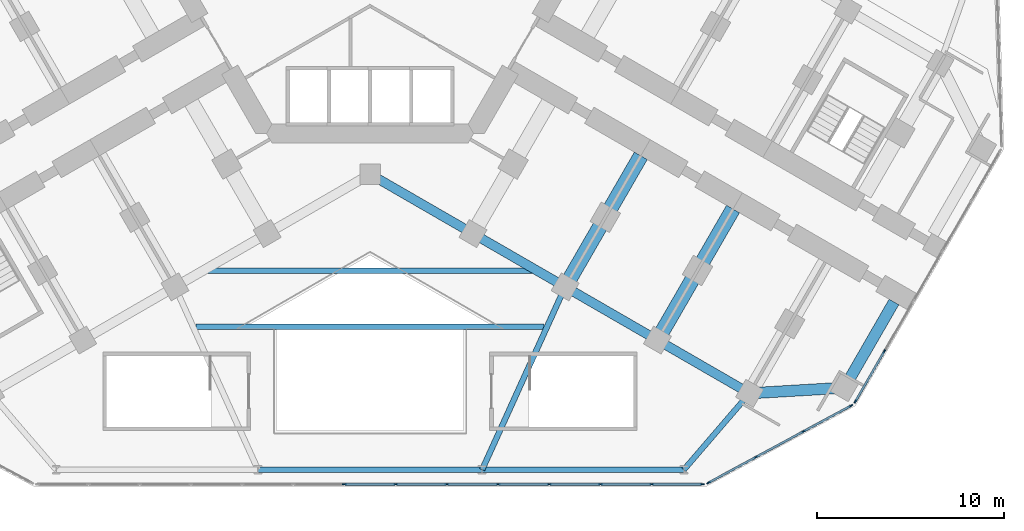
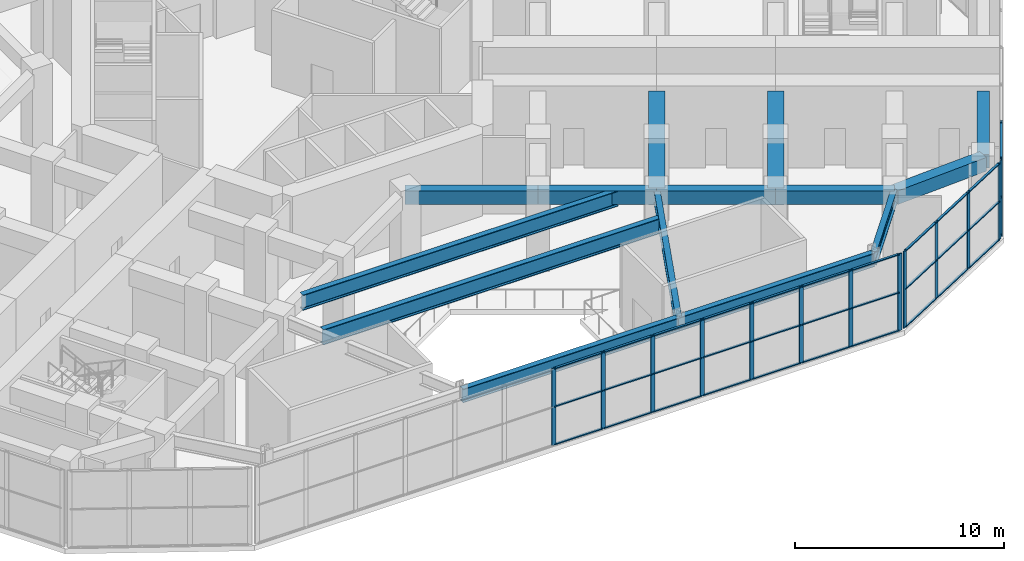
# One storey, part 5 of 22: 47 members, 14 beams, 3 elements without a shape of their own.
"""IFC4 building model written with IfcOpenShell, lengths in metres."""

from ifc_helpers import new_model, si_unit, direction, frame, origin, origin_2d, place, context, subcontext, project, spatial, rectangle, i_section, extrude, material, material_profile, profile_set, type_object, element, aggregate, save


model = new_model("IFC4")

# Units and contexts
model_context = context("Model", 3, precision=1e-05, world=origin(), true_north=direction((0.0, 1.0)))
body_context = subcontext(model_context, "Body", "Model", "MODEL_VIEW")
ifc_project = project(units=[si_unit("LENGTHUNIT", "METRE"), si_unit("AREAUNIT", "SQUARE_METRE"), si_unit("VOLUMEUNIT", "CUBIC_METRE"), si_unit("PLANEANGLEUNIT", "RADIAN"), si_unit("MASSUNIT", "GRAM", prefix="KILO")], contexts=[model_context])

# Site, building, storey
site_placement = place(None, origin())
site = spatial("IfcSite", under=ifc_project, at=site_placement, CompositionType="ELEMENT")
building_placement = place(site_placement, origin())
building = spatial("IfcBuilding", under=site, at=building_placement, Name="Kosmar Iwan School Tower", CompositionType="ELEMENT")
storey_placement = place(building_placement, frame((0.0, 0.0, 15.60009765625)))
storey = spatial("IfcBuildingStorey", under=building, at=storey_placement, Name="L03", CompositionType="ELEMENT", Elevation=15.60009765625)

# Beams
ifc_material_1 = material(Name="Steel S355", Category="steel")
ifc_material_profile_1 = material_profile(ifc_material_1, i_section(OverallWidth=0.300048828125, OverallDepth=0.89990234375, WebThickness=0.0185546875, FlangeThickness=0.034912109375, FilletRadius=0.030029296875, at=origin_2d()), Name="HE 900 B")
ifc_profile_set_1 = profile_set([ifc_material_profile_1], Name="Steel S355")
beam_type_1 = type_object("IfcBeamType", Name="Atrium roof beam HE 900 B", PredefinedType="BEAM", material=ifc_profile_set_1)
beam_1_placement = place(storey_placement, frame((-9.3212890625, -19.948974609375, 4.0498046875), z_axis=(1.0, 0.0, 0.0), x_axis=(0.0, 1.0, 0.0)))
element("IfcBeam", 1, at=beam_1_placement, inside=storey, type_object=beam_type_1, Name="Atrium roof beam 1", PredefinedType="BEAM", context=body_context, shape_type="SweptSolid", body=[
    extrude(i_section(OverallWidth=0.300048828125, OverallDepth=0.89990234375, WebThickness=0.0185546875, FlangeThickness=0.034912109375, FilletRadius=0.030029296875, at=origin_2d()), origin(), (0.0, 0.0, 1.0), 18.642578125),
])
beam_2_placement = place(storey_placement, frame((-8.7314453125, -16.948974609375, 4.0498046875), z_axis=(1.0, 0.0, 0.0), x_axis=(0.0, 1.0, 0.0)))
element("IfcBeam", 2, at=beam_2_placement, inside=storey, type_object=beam_type_1, Name="Atrium roof beam 2", PredefinedType="BEAM", context=body_context, shape_type="SweptSolid", body=[
    extrude(i_section(OverallWidth=0.300048828125, OverallDepth=0.89990234375, WebThickness=0.0185546875, FlangeThickness=0.034912109375, FilletRadius=0.030029296875, at=origin_2d()), origin(), (0.0, 0.0, 1.0), 17.462890625),
])
ifc_material_2 = material(Name="Steel S355", Category="steel")
ifc_material_profile_2 = material_profile(ifc_material_2, i_section(OverallWidth=0.300048828125, OverallDepth=0.800048828125, WebThickness=0.017578125, FlangeThickness=0.032958984375, FilletRadius=0.030029296875, at=origin_2d()), Name="HE 800 B")
ifc_profile_set_2 = profile_set([ifc_material_profile_2], Name="Steel S355")
beam_type_2 = type_object("IfcBeamType", Name="Infill edge beam HE 800 B", PredefinedType="BEAM", material=ifc_profile_set_2)
beam_3_placement = place(storey_placement, frame((20.31787109375, -23.508544921875, 4.099853515625), z_axis=(-0.651941989341, -0.758268845816, 0.0), x_axis=(0.758268845816, -0.651941989341, 0.0)))
element("IfcBeam", 3, at=beam_3_placement, inside=storey, type_object=beam_type_2, Name="Infill edge beam BC1", PredefinedType="BEAM", context=body_context, shape_type="SweptSolid", body=[
    extrude(i_section(OverallWidth=0.300048828125, OverallDepth=0.800048828125, WebThickness=0.017578125, FlangeThickness=0.032958984375, FilletRadius=0.030029296875, at=origin_2d()), origin(), (0.0, 0.0, 1.0), 5.39599609375),
])
beam_4_placement = place(storey_placement, frame((16.800048828125, -27.60009765625, 4.099853515625), z_axis=(-1.0, 0.0, 0.0), x_axis=(0.0, -1.0, 0.0)))
element("IfcBeam", 4, at=beam_4_placement, inside=storey, type_object=beam_type_2, Name="Infill edge beam BC2", PredefinedType="BEAM", context=body_context, shape_type="SweptSolid", body=[
    extrude(i_section(OverallWidth=0.300048828125, OverallDepth=0.800048828125, WebThickness=0.017578125, FlangeThickness=0.032958984375, FilletRadius=0.030029296875, at=origin_2d()), origin(), (0.0, 0.0, 1.0), 10.800048828125),
])
beam_5_placement = place(storey_placement, frame((6.0, -27.60009765625, 4.099853515625), z_axis=(-1.0, 0.0, 0.0), x_axis=(0.0, -1.0, 0.0)))
element("IfcBeam", 5, at=beam_5_placement, inside=storey, type_object=beam_type_2, Name="Infill edge beam BC3", PredefinedType="BEAM", context=body_context, shape_type="SweptSolid", body=[
    extrude(i_section(OverallWidth=0.300048828125, OverallDepth=0.800048828125, WebThickness=0.017578125, FlangeThickness=0.032958984375, FilletRadius=0.030029296875, at=origin_2d()), origin(), (0.0, 0.0, 1.0), 12.0),
])
ifc_material_3 = material(Name="Steel S355", Category="steel")
ifc_material_profile_3 = material_profile(ifc_material_3, i_section(OverallWidth=0.303955078125, OverallDepth=0.716064453125, WebThickness=0.02099609375, FlangeThickness=0.0400390625, FilletRadius=0.027099609375, at=origin_2d()), Name="HE 700 M")
ifc_profile_set_3 = profile_set([ifc_material_profile_3], Name="Steel S355")
beam_type_3 = type_object("IfcBeamType", Name="Play deck girder HE 700 M", PredefinedType="BEAM", material=ifc_profile_set_3)
beam_6_placement = place(storey_placement, frame((6.0, -27.60009765625, 4.141845703125), z_axis=(0.413361578077, 0.910566969404, 0.0), x_axis=(-0.910566969404, 0.413361578077, 0.0)))
element("IfcBeam", 6, at=beam_6_placement, inside=storey, type_object=beam_type_3, Name="Infill girder BC2", PredefinedType="BEAM", context=body_context, shape_type="SweptSolid", body=[
    extrude(i_section(OverallWidth=0.303955078125, OverallDepth=0.716064453125, WebThickness=0.02099609375, FlangeThickness=0.0400390625, FilletRadius=0.027099609375, at=origin_2d()), origin(), (0.0, 0.0, 1.0), 10.75341796875),
])

# Curtain wall, members
ifc_material_4 = material(Name="Dark glass in black aluminium frame", Category="aluminium")
curtain_wall_type_1 = type_object("IfcCurtainWallType", Name="Podium curtain wall", PredefinedType="USERDEFINED", material=ifc_material_4)
curtain_wall_1_placement = place(storey_placement, origin())
curtain_wall_1 = element("IfcCurtainWall", 7, at=curtain_wall_1_placement, inside=storey, type_object=curtain_wall_type_1, Name="Curtain wall L03-F00", ObjectType="STICK CURTAIN WALL", PredefinedType="USERDEFINED")
ifc_material_5 = material(Name="Black anodised aluminium", Category="aluminium")
ifc_material_profile_4 = material_profile(ifc_material_5, rectangle(XDim=0.06494140625, YDim=0.219970703125, at=origin_2d()), Name="MULLION 65x220")
ifc_profile_set_4 = profile_set([ifc_material_profile_4], Name="Black anodised aluminium")
member_type_1 = type_object("IfcMemberType", Name="Podium mullion 65x220", PredefinedType="MULLION", material=ifc_profile_set_4)
member_1_placement = place(storey_placement, frame((-1.37060546875, -28.375, 0.0), z_axis=(0.0, 0.0, 1.0), x_axis=(0.0, 1.0, 0.0)))
member_1 = element("IfcMember", 8, at=member_1_placement, type_object=member_type_1, Name="CW3 mullion 7", PredefinedType="MULLION", context=body_context, shape_type="SweptSolid", body=[
    extrude(rectangle(XDim=0.06494140625, YDim=0.219970703125, at=origin_2d()), origin(), (0.0, 0.0, 1.0), 4.5),
])
member_2_placement = place(storey_placement, frame((1.37060546875, -28.375, 0.0), z_axis=(0.0, 0.0, 1.0), x_axis=(0.0, 1.0, 0.0)))
member_2 = element("IfcMember", 9, at=member_2_placement, type_object=member_type_1, Name="CW3 mullion 8", PredefinedType="MULLION", context=body_context, shape_type="SweptSolid", body=[
    extrude(rectangle(XDim=0.06494140625, YDim=0.219970703125, at=origin_2d()), origin(), (0.0, 0.0, 1.0), 4.5),
])
member_3_placement = place(storey_placement, frame((4.112060546875, -28.375, 0.0), z_axis=(0.0, 0.0, 1.0), x_axis=(0.0, 1.0, 0.0)))
member_3 = element("IfcMember", 10, at=member_3_placement, type_object=member_type_1, Name="CW3 mullion 9", PredefinedType="MULLION", context=body_context, shape_type="SweptSolid", body=[
    extrude(rectangle(XDim=0.06494140625, YDim=0.219970703125, at=origin_2d()), origin(), (0.0, 0.0, 1.0), 4.5),
])
member_4_placement = place(storey_placement, frame((6.853271484375, -28.375, 0.0), z_axis=(0.0, 0.0, 1.0), x_axis=(0.0, 1.0, 0.0)))
member_4 = element("IfcMember", 11, at=member_4_placement, type_object=member_type_1, Name="CW3 mullion 10", PredefinedType="MULLION", context=body_context, shape_type="SweptSolid", body=[
    extrude(rectangle(XDim=0.06494140625, YDim=0.219970703125, at=origin_2d()), origin(), (0.0, 0.0, 1.0), 4.5),
])
member_5_placement = place(storey_placement, frame((9.594482421875, -28.375, 0.0), z_axis=(0.0, 0.0, 1.0), x_axis=(0.0, 1.0, 0.0)))
member_5 = element("IfcMember", 12, at=member_5_placement, type_object=member_type_1, Name="CW3 mullion 11", PredefinedType="MULLION", context=body_context, shape_type="SweptSolid", body=[
    extrude(rectangle(XDim=0.06494140625, YDim=0.219970703125, at=origin_2d()), origin(), (0.0, 0.0, 1.0), 4.5),
])
member_6_placement = place(storey_placement, frame((12.3359375, -28.375, 0.0), z_axis=(0.0, 0.0, 1.0), x_axis=(0.0, 1.0, 0.0)))
member_6 = element("IfcMember", 13, at=member_6_placement, type_object=member_type_1, Name="CW3 mullion 12", PredefinedType="MULLION", context=body_context, shape_type="SweptSolid", body=[
    extrude(rectangle(XDim=0.06494140625, YDim=0.219970703125, at=origin_2d()), origin(), (0.0, 0.0, 1.0), 4.5),
])
member_7_placement = place(storey_placement, frame((15.0771484375, -28.375, 0.0), z_axis=(0.0, 0.0, 1.0), x_axis=(0.0, 1.0, 0.0)))
member_7 = element("IfcMember", 14, at=member_7_placement, type_object=member_type_1, Name="CW3 mullion 13", PredefinedType="MULLION", context=body_context, shape_type="SweptSolid", body=[
    extrude(rectangle(XDim=0.06494140625, YDim=0.219970703125, at=origin_2d()), origin(), (0.0, 0.0, 1.0), 4.5),
])
member_8_placement = place(storey_placement, frame((17.785888671875, -28.375, 0.0), z_axis=(0.0, 0.0, 1.0), x_axis=(0.0, 1.0, 0.0)))
member_8 = element("IfcMember", 15, at=member_8_placement, type_object=member_type_1, Name="CW3 mullion 14", PredefinedType="MULLION", context=body_context, shape_type="SweptSolid", body=[
    extrude(rectangle(XDim=0.06494140625, YDim=0.219970703125, at=origin_2d()), origin(), (0.0, 0.0, 1.0), 4.5),
])

curtain_wall_2_placement = place(storey_placement, origin())
curtain_wall_2 = element("IfcCurtainWall", 16, at=curtain_wall_2_placement, inside=storey, type_object=curtain_wall_type_1, Name="Curtain wall L03-F01", ObjectType="STICK CURTAIN WALL", PredefinedType="USERDEFINED")
member_9_placement = place(storey_placement, frame((18.12890625, -28.288330078125, 0.0), z_axis=(0.0, 0.0, 1.0), x_axis=(-0.475215410051, 0.879869486941, 0.0)))
member_9 = element("IfcMember", 17, at=member_9_placement, type_object=member_type_1, Name="CW3 mullion 1", PredefinedType="MULLION", context=body_context, shape_type="SweptSolid", body=[
    extrude(rectangle(XDim=0.06494140625, YDim=0.219970703125, at=origin_2d()), origin(), (0.0, 0.0, 1.0), 4.5),
])
member_10_placement = place(storey_placement, frame((20.656005859375, -26.923583984375, 0.0), z_axis=(0.0, 0.0, 1.0), x_axis=(-0.475215410051, 0.879869486941, 0.0)))
member_10 = element("IfcMember", 18, at=member_10_placement, type_object=member_type_1, Name="CW3 mullion 2", PredefinedType="MULLION", context=body_context, shape_type="SweptSolid", body=[
    extrude(rectangle(XDim=0.06494140625, YDim=0.219970703125, at=origin_2d()), origin(), (0.0, 0.0, 1.0), 4.5),
])
member_11_placement = place(storey_placement, frame((23.21142578125, -25.543212890625, 0.0), z_axis=(0.0, 0.0, 1.0), x_axis=(-0.475215410051, 0.879869486941, 0.0)))
member_11 = element("IfcMember", 19, at=member_11_placement, type_object=member_type_1, Name="CW3 mullion 3", PredefinedType="MULLION", context=body_context, shape_type="SweptSolid", body=[
    extrude(rectangle(XDim=0.06494140625, YDim=0.219970703125, at=origin_2d()), origin(), (0.0, 0.0, 1.0), 4.5),
])
member_12_placement = place(storey_placement, frame((25.73828125, -24.178466796875, 0.0), z_axis=(0.0, 0.0, 1.0), x_axis=(-0.475215410051, 0.879869486941, 0.0)))
member_12 = element("IfcMember", 20, at=member_12_placement, type_object=member_type_1, Name="CW3 mullion 4", PredefinedType="MULLION", context=body_context, shape_type="SweptSolid", body=[
    extrude(rectangle(XDim=0.06494140625, YDim=0.219970703125, at=origin_2d()), origin(), (0.0, 0.0, 1.0), 4.5),
])

ifc_material_6 = material(Name="Dark glass in black aluminium frame", Category="aluminium")
curtain_wall_type_2 = type_object("IfcCurtainWallType", Name="Tower curtain wall dark glass", PredefinedType="USERDEFINED", material=ifc_material_6)
curtain_wall_3_placement = place(storey_placement, origin())
curtain_wall_3 = element("IfcCurtainWall", 21, at=curtain_wall_3_placement, inside=storey, type_object=curtain_wall_type_2, Name="Curtain wall L03-F02", ObjectType="UNITISED CURTAIN WALL", PredefinedType="USERDEFINED")
member_13_placement = place(storey_placement, frame((25.990234375, -23.93359375, 0.0), z_axis=(0.0, 0.0, 1.0), x_axis=(-0.866025395669, 0.500000014057, 0.0)))
member_13 = element("IfcMember", 22, at=member_13_placement, type_object=member_type_1, Name="CW1 mullion 1", PredefinedType="MULLION", context=body_context, shape_type="SweptSolid", body=[
    extrude(rectangle(XDim=0.06494140625, YDim=0.219970703125, at=origin_2d()), origin(), (0.0, 0.0, 1.0), 4.5),
])
member_14_placement = place(storey_placement, frame((27.52685546875, -21.272216796875, 0.0), z_axis=(0.0, 0.0, 1.0), x_axis=(-0.866025395669, 0.500000014057, 0.0)))
member_14 = element("IfcMember", 23, at=member_14_placement, type_object=member_type_1, Name="CW1 mullion 2", PredefinedType="MULLION", context=body_context, shape_type="SweptSolid", body=[
    extrude(rectangle(XDim=0.06494140625, YDim=0.219970703125, at=origin_2d()), origin(), (0.0, 0.0, 1.0), 4.5),
])

# Beams
ifc_material_7 = material(Name="Concrete C50/60", Category="concrete")
ifc_material_profile_5 = material_profile(ifc_material_7, rectangle(XDim=0.5, YDim=0.800048828125, at=origin_2d()), Name="RC 500x800")
ifc_profile_set_5 = profile_set([ifc_material_profile_5], Name="Concrete C50/60")
beam_type_4 = type_object("IfcBeamType", Name="RC edge beam 500x800", PredefinedType="BEAM", material=ifc_profile_set_5)
beam_7_placement = place(storey_placement, frame((0.0, -11.77783203125, 4.099853515625), z_axis=(0.866014293216, -0.500019243575, 0.0), x_axis=(0.500019243575, 0.866014293216, 0.0)))
element("IfcBeam", 24, at=beam_7_placement, inside=storey, type_object=beam_type_4, Name="Edge beam CR1", PredefinedType="BEAM", context=body_context, shape_type="SweptSolid", body=[
    extrude(rectangle(XDim=0.5, YDim=0.800048828125, at=origin_2d()), origin(), (0.0, 0.0, 1.0), 6.361083984375),
])
beam_8_placement = place(storey_placement, frame((5.5087890625, -14.95849609375, 4.099853515625), z_axis=(0.866033658841, -0.49998570155, 0.0), x_axis=(0.49998570155, 0.866033658841, 0.0)))
element("IfcBeam", 25, at=beam_8_placement, inside=storey, type_object=beam_type_4, Name="Edge beam CR2", PredefinedType="BEAM", context=body_context, shape_type="SweptSolid", body=[
    extrude(rectangle(XDim=0.5, YDim=0.800048828125, at=origin_2d()), origin(), (0.0, 0.0, 1.0), 5.699951171875),
])
beam_9_placement = place(storey_placement, frame((10.445068359375, -17.808349609375, 4.099853515625), z_axis=(0.866025820012, -0.499999279071, 0.0), x_axis=(0.499999279071, 0.866025820012, 0.0)))
element("IfcBeam", 26, at=beam_9_placement, inside=storey, type_object=beam_type_4, Name="Edge beam CR3", PredefinedType="BEAM", context=body_context, shape_type="SweptSolid", body=[
    extrude(rectangle(XDim=0.5, YDim=0.800048828125, at=origin_2d()), origin(), (0.0, 0.0, 1.0), 5.7001953125),
])
beam_10_placement = place(storey_placement, frame((15.381591796875, -20.658447265625, 4.099853515625), z_axis=(0.866015111908, -0.50001782563, 0.0), x_axis=(0.50001782563, 0.866015111908, 0.0)))
element("IfcBeam", 27, at=beam_10_placement, inside=storey, type_object=beam_type_4, Name="Edge beam CR4", PredefinedType="BEAM", context=body_context, shape_type="SweptSolid", body=[
    extrude(rectangle(XDim=0.5, YDim=0.800048828125, at=origin_2d()), origin(), (0.0, 0.0, 1.0), 5.699951171875),
])
ifc_material_8 = material(Name="Concrete C50/60", Category="concrete")
ifc_material_profile_6 = material_profile(ifc_material_8, rectangle(XDim=0.60009765625, YDim=0.800048828125, at=origin_2d()), Name="RC 600x800")
ifc_profile_set_6 = profile_set([ifc_material_profile_6], Name="Concrete C50/60")
beam_type_5 = type_object("IfcBeamType", Name="RC tip beam 600x800", PredefinedType="BEAM", material=ifc_profile_set_6)
beam_11_placement = place(storey_placement, frame((20.31787109375, -23.508544921875, 4.099853515625), z_axis=(0.998260616478, 0.058955420358, 0.0), x_axis=(-0.058955420358, 0.998260616478, 0.0)))
element("IfcBeam", 28, at=beam_11_placement, inside=storey, type_object=beam_type_5, Name="Tip beam CR", PredefinedType="BEAM", context=body_context, shape_type="SweptSolid", body=[
    extrude(rectangle(XDim=0.60009765625, YDim=0.800048828125, at=origin_2d()), origin(), (0.0, 0.0, 1.0), 5.08935546875),
])
beam_12_placement = place(storey_placement, frame((25.3984375, -23.20849609375, 4.099853515625), z_axis=(0.499993606316, 0.866029095148, 0.0), x_axis=(-0.866029095148, 0.499993606316, 0.0)))
element("IfcBeam", 29, at=beam_12_placement, inside=storey, type_object=beam_type_5, Name="Tip beam CR to corridor wall", PredefinedType="BEAM", context=body_context, shape_type="SweptSolid", body=[
    extrude(rectangle(XDim=0.60009765625, YDim=0.800048828125, at=origin_2d()), origin(), (0.0, 0.0, 1.0), 5.2998046875),
])
ifc_material_9 = material(Name="Concrete C50/60", Category="concrete")
ifc_material_profile_7 = material_profile(ifc_material_9, rectangle(XDim=0.800048828125, YDim=1.0, at=origin_2d()), Name="RC 800x1000")
ifc_profile_set_7 = profile_set([ifc_material_profile_7], Name="Concrete C50/60")
beam_type_6 = type_object("IfcBeamType", Name="RC transverse beam 800x1000", PredefinedType="BEAM", material=ifc_profile_set_7)
beam_13_placement = place(storey_placement, frame((10.445068359375, -17.808349609375, 4.0), z_axis=(0.500012932018, 0.866017937352, 0.0), x_axis=(-0.866017937352, 0.500012932018, 0.0)))
element("IfcBeam", 30, at=beam_13_placement, inside=storey, type_object=beam_type_6, Name="Transverse beam CR2", PredefinedType="BEAM", context=body_context, shape_type="SweptSolid", body=[
    extrude(rectangle(XDim=0.800048828125, YDim=1.0, at=origin_2d()), origin(), (0.0, 0.0, 1.0), 8.099853515625),
])
beam_14_placement = place(storey_placement, frame((15.381591796875, -20.658447265625, 4.0), z_axis=(0.499977274689, 0.866038523851, 0.0), x_axis=(-0.866038523851, 0.499977274689, 0.0)))
element("IfcBeam", 31, at=beam_14_placement, inside=storey, type_object=beam_type_6, Name="Transverse beam CR3", PredefinedType="BEAM", context=body_context, shape_type="SweptSolid", body=[
    extrude(rectangle(XDim=0.800048828125, YDim=1.0, at=origin_2d()), origin(), (0.0, 0.0, 1.0), 8.10009765625),
])

# Member
ifc_material_10 = material(Name="Black anodised aluminium", Category="aluminium")
ifc_material_profile_8 = material_profile(ifc_material_10, rectangle(XDim=0.1201171875, YDim=0.06005859375, at=origin_2d()), Name="TRANSOM 60x120")
ifc_profile_set_8 = profile_set([ifc_material_profile_8], Name="Black anodised aluminium")
member_type_2 = type_object("IfcMemberType", Name="Transom 60x120", PredefinedType="USERDEFINED", material=ifc_profile_set_8)
member_15_placement = place(storey_placement, frame((-1.338134765625, -28.375, 0.02978515625), z_axis=(1.0, 0.0, 0.0), x_axis=(0.0, 1.0, 0.0)))
member_15 = element("IfcMember", 32, at=member_15_placement, type_object=member_type_2, Name="CW3 transom 7.1", ObjectType="TRANSOM", PredefinedType="USERDEFINED", context=body_context, shape_type="SweptSolid", body=[
    extrude(rectangle(XDim=0.1201171875, YDim=0.06005859375, at=origin_2d()), origin(), (0.0, 0.0, 1.0), 2.67626953125),
])

member_16_placement = place(storey_placement, frame((-1.338134765625, -28.375, 2.25), z_axis=(1.0, 0.0, 0.0), x_axis=(0.0, 1.0, 0.0)))
member_16 = element("IfcMember", 33, at=member_16_placement, type_object=member_type_2, Name="CW3 transom 7.2", ObjectType="TRANSOM", PredefinedType="USERDEFINED", context=body_context, shape_type="SweptSolid", body=[
    extrude(rectangle(XDim=0.1201171875, YDim=0.06005859375, at=origin_2d()), origin(), (0.0, 0.0, 1.0), 2.67626953125),
])

member_17_placement = place(storey_placement, frame((-1.338134765625, -28.375, 4.469970703125), z_axis=(1.0, 0.0, 0.0), x_axis=(0.0, 1.0, 0.0)))
member_17 = element("IfcMember", 34, at=member_17_placement, type_object=member_type_2, Name="CW3 transom 7.3", ObjectType="TRANSOM", PredefinedType="USERDEFINED", context=body_context, shape_type="SweptSolid", body=[
    extrude(rectangle(XDim=0.1201171875, YDim=0.06005859375, at=origin_2d()), origin(), (0.0, 0.0, 1.0), 2.67626953125),
])

member_18_placement = place(storey_placement, frame((1.403076171875, -28.375, 0.02978515625), z_axis=(1.0, 0.0, 0.0), x_axis=(0.0, 1.0, 0.0)))
member_18 = element("IfcMember", 35, at=member_18_placement, type_object=member_type_2, Name="CW3 transom 8.1", ObjectType="TRANSOM", PredefinedType="USERDEFINED", context=body_context, shape_type="SweptSolid", body=[
    extrude(rectangle(XDim=0.1201171875, YDim=0.06005859375, at=origin_2d()), origin(), (0.0, 0.0, 1.0), 2.67626953125),
])

member_19_placement = place(storey_placement, frame((1.403076171875, -28.375, 2.25), z_axis=(1.0, 0.0, 0.0), x_axis=(0.0, 1.0, 0.0)))
member_19 = element("IfcMember", 36, at=member_19_placement, type_object=member_type_2, Name="CW3 transom 8.2", ObjectType="TRANSOM", PredefinedType="USERDEFINED", context=body_context, shape_type="SweptSolid", body=[
    extrude(rectangle(XDim=0.1201171875, YDim=0.06005859375, at=origin_2d()), origin(), (0.0, 0.0, 1.0), 2.67626953125),
])

member_20_placement = place(storey_placement, frame((1.403076171875, -28.375, 4.469970703125), z_axis=(1.0, 0.0, 0.0), x_axis=(0.0, 1.0, 0.0)))
member_20 = element("IfcMember", 37, at=member_20_placement, type_object=member_type_2, Name="CW3 transom 8.3", ObjectType="TRANSOM", PredefinedType="USERDEFINED", context=body_context, shape_type="SweptSolid", body=[
    extrude(rectangle(XDim=0.1201171875, YDim=0.06005859375, at=origin_2d()), origin(), (0.0, 0.0, 1.0), 2.67626953125),
])

member_21_placement = place(storey_placement, frame((4.14453125, -28.375, 0.02978515625), z_axis=(1.0, 0.0, 0.0), x_axis=(0.0, 1.0, 0.0)))
member_21 = element("IfcMember", 38, at=member_21_placement, type_object=member_type_2, Name="CW3 transom 9.1", ObjectType="TRANSOM", PredefinedType="USERDEFINED", context=body_context, shape_type="SweptSolid", body=[
    extrude(rectangle(XDim=0.1201171875, YDim=0.06005859375, at=origin_2d()), origin(), (0.0, 0.0, 1.0), 2.67626953125),
])

member_22_placement = place(storey_placement, frame((4.14453125, -28.375, 2.25), z_axis=(1.0, 0.0, 0.0), x_axis=(0.0, 1.0, 0.0)))
member_22 = element("IfcMember", 39, at=member_22_placement, type_object=member_type_2, Name="CW3 transom 9.2", ObjectType="TRANSOM", PredefinedType="USERDEFINED", context=body_context, shape_type="SweptSolid", body=[
    extrude(rectangle(XDim=0.1201171875, YDim=0.06005859375, at=origin_2d()), origin(), (0.0, 0.0, 1.0), 2.67626953125),
])

member_23_placement = place(storey_placement, frame((4.14453125, -28.375, 4.469970703125), z_axis=(1.0, 0.0, 0.0), x_axis=(0.0, 1.0, 0.0)))
member_23 = element("IfcMember", 40, at=member_23_placement, type_object=member_type_2, Name="CW3 transom 9.3", ObjectType="TRANSOM", PredefinedType="USERDEFINED", context=body_context, shape_type="SweptSolid", body=[
    extrude(rectangle(XDim=0.1201171875, YDim=0.06005859375, at=origin_2d()), origin(), (0.0, 0.0, 1.0), 2.67626953125),
])

member_24_placement = place(storey_placement, frame((6.8857421875, -28.375, 0.02978515625), z_axis=(1.0, 0.0, 0.0), x_axis=(0.0, 1.0, 0.0)))
member_24 = element("IfcMember", 41, at=member_24_placement, type_object=member_type_2, Name="CW3 transom 10.1", ObjectType="TRANSOM", PredefinedType="USERDEFINED", context=body_context, shape_type="SweptSolid", body=[
    extrude(rectangle(XDim=0.1201171875, YDim=0.06005859375, at=origin_2d()), origin(), (0.0, 0.0, 1.0), 2.67626953125),
])

member_25_placement = place(storey_placement, frame((6.8857421875, -28.375, 2.25), z_axis=(1.0, 0.0, 0.0), x_axis=(0.0, 1.0, 0.0)))
member_25 = element("IfcMember", 42, at=member_25_placement, type_object=member_type_2, Name="CW3 transom 10.2", ObjectType="TRANSOM", PredefinedType="USERDEFINED", context=body_context, shape_type="SweptSolid", body=[
    extrude(rectangle(XDim=0.1201171875, YDim=0.06005859375, at=origin_2d()), origin(), (0.0, 0.0, 1.0), 2.67626953125),
])

member_26_placement = place(storey_placement, frame((6.8857421875, -28.375, 4.469970703125), z_axis=(1.0, 0.0, 0.0), x_axis=(0.0, 1.0, 0.0)))
member_26 = element("IfcMember", 43, at=member_26_placement, type_object=member_type_2, Name="CW3 transom 10.3", ObjectType="TRANSOM", PredefinedType="USERDEFINED", context=body_context, shape_type="SweptSolid", body=[
    extrude(rectangle(XDim=0.1201171875, YDim=0.06005859375, at=origin_2d()), origin(), (0.0, 0.0, 1.0), 2.67626953125),
])

member_27_placement = place(storey_placement, frame((9.626953125, -28.375, 0.02978515625), z_axis=(1.0, 0.0, 0.0), x_axis=(0.0, 1.0, 0.0)))
member_27 = element("IfcMember", 44, at=member_27_placement, type_object=member_type_2, Name="CW3 transom 11.1", ObjectType="TRANSOM", PredefinedType="USERDEFINED", context=body_context, shape_type="SweptSolid", body=[
    extrude(rectangle(XDim=0.1201171875, YDim=0.06005859375, at=origin_2d()), origin(), (0.0, 0.0, 1.0), 2.67626953125),
])

member_28_placement = place(storey_placement, frame((9.626953125, -28.375, 2.25), z_axis=(1.0, 0.0, 0.0), x_axis=(0.0, 1.0, 0.0)))
member_28 = element("IfcMember", 45, at=member_28_placement, type_object=member_type_2, Name="CW3 transom 11.2", ObjectType="TRANSOM", PredefinedType="USERDEFINED", context=body_context, shape_type="SweptSolid", body=[
    extrude(rectangle(XDim=0.1201171875, YDim=0.06005859375, at=origin_2d()), origin(), (0.0, 0.0, 1.0), 2.67626953125),
])

member_29_placement = place(storey_placement, frame((9.626953125, -28.375, 4.469970703125), z_axis=(1.0, 0.0, 0.0), x_axis=(0.0, 1.0, 0.0)))
member_29 = element("IfcMember", 46, at=member_29_placement, type_object=member_type_2, Name="CW3 transom 11.3", ObjectType="TRANSOM", PredefinedType="USERDEFINED", context=body_context, shape_type="SweptSolid", body=[
    extrude(rectangle(XDim=0.1201171875, YDim=0.06005859375, at=origin_2d()), origin(), (0.0, 0.0, 1.0), 2.67626953125),
])

member_30_placement = place(storey_placement, frame((12.368408203125, -28.375, 0.02978515625), z_axis=(1.0, 0.0, 0.0), x_axis=(0.0, 1.0, 0.0)))
member_30 = element("IfcMember", 47, at=member_30_placement, type_object=member_type_2, Name="CW3 transom 12.1", ObjectType="TRANSOM", PredefinedType="USERDEFINED", context=body_context, shape_type="SweptSolid", body=[
    extrude(rectangle(XDim=0.1201171875, YDim=0.06005859375, at=origin_2d()), origin(), (0.0, 0.0, 1.0), 2.67626953125),
])

member_31_placement = place(storey_placement, frame((12.368408203125, -28.375, 2.25), z_axis=(1.0, 0.0, 0.0), x_axis=(0.0, 1.0, 0.0)))
member_31 = element("IfcMember", 48, at=member_31_placement, type_object=member_type_2, Name="CW3 transom 12.2", ObjectType="TRANSOM", PredefinedType="USERDEFINED", context=body_context, shape_type="SweptSolid", body=[
    extrude(rectangle(XDim=0.1201171875, YDim=0.06005859375, at=origin_2d()), origin(), (0.0, 0.0, 1.0), 2.67626953125),
])

member_32_placement = place(storey_placement, frame((12.368408203125, -28.375, 4.469970703125), z_axis=(1.0, 0.0, 0.0), x_axis=(0.0, 1.0, 0.0)))
member_32 = element("IfcMember", 49, at=member_32_placement, type_object=member_type_2, Name="CW3 transom 12.3", ObjectType="TRANSOM", PredefinedType="USERDEFINED", context=body_context, shape_type="SweptSolid", body=[
    extrude(rectangle(XDim=0.1201171875, YDim=0.06005859375, at=origin_2d()), origin(), (0.0, 0.0, 1.0), 2.67626953125),
])

member_33_placement = place(storey_placement, frame((15.109619140625, -28.375, 0.02978515625), z_axis=(1.0, 0.0, 0.0), x_axis=(0.0, 1.0, 0.0)))
member_33 = element("IfcMember", 50, at=member_33_placement, type_object=member_type_2, Name="CW3 transom 13.1", ObjectType="TRANSOM", PredefinedType="USERDEFINED", context=body_context, shape_type="SweptSolid", body=[
    extrude(rectangle(XDim=0.1201171875, YDim=0.06005859375, at=origin_2d()), origin(), (0.0, 0.0, 1.0), 2.643798828125),
])

member_34_placement = place(storey_placement, frame((15.109619140625, -28.375, 2.25), z_axis=(1.0, 0.0, 0.0), x_axis=(0.0, 1.0, 0.0)))
member_34 = element("IfcMember", 51, at=member_34_placement, type_object=member_type_2, Name="CW3 transom 13.2", ObjectType="TRANSOM", PredefinedType="USERDEFINED", context=body_context, shape_type="SweptSolid", body=[
    extrude(rectangle(XDim=0.1201171875, YDim=0.06005859375, at=origin_2d()), origin(), (0.0, 0.0, 1.0), 2.643798828125),
])

member_35_placement = place(storey_placement, frame((15.109619140625, -28.375, 4.469970703125), z_axis=(1.0, 0.0, 0.0), x_axis=(0.0, 1.0, 0.0)))
member_35 = element("IfcMember", 52, at=member_35_placement, type_object=member_type_2, Name="CW3 transom 13.3", ObjectType="TRANSOM", PredefinedType="USERDEFINED", context=body_context, shape_type="SweptSolid", body=[
    extrude(rectangle(XDim=0.1201171875, YDim=0.06005859375, at=origin_2d()), origin(), (0.0, 0.0, 1.0), 2.643798828125),
])

aggregate(curtain_wall_1, [member_1, member_2, member_3, member_4, member_5, member_6, member_7, member_8, member_15, member_16, member_17, member_18, member_19, member_20, member_21, member_22, member_23, member_24, member_25, member_26, member_27, member_28, member_29, member_30, member_31, member_32, member_33, member_34, member_35])

member_36_placement = place(storey_placement, frame((18.157470703125, -28.27294921875, 0.02978515625), z_axis=(0.879855938213, 0.475240494899, 0.0), x_axis=(-0.475240494899, 0.879855938213, 0.0)))
member_36 = element("IfcMember", 53, at=member_36_placement, type_object=member_type_2, Name="CW3 transom 1.1", ObjectType="TRANSOM", PredefinedType="USERDEFINED", context=body_context, shape_type="SweptSolid", body=[
    extrude(rectangle(XDim=0.1201171875, YDim=0.06005859375, at=origin_2d()), origin(), (0.0, 0.0, 1.0), 2.806884765625),
])

member_37_placement = place(storey_placement, frame((18.157470703125, -28.27294921875, 2.25), z_axis=(0.879855938213, 0.475240494899, 0.0), x_axis=(-0.475240494899, 0.879855938213, 0.0)))
member_37 = element("IfcMember", 54, at=member_37_placement, type_object=member_type_2, Name="CW3 transom 1.2", ObjectType="TRANSOM", PredefinedType="USERDEFINED", context=body_context, shape_type="SweptSolid", body=[
    extrude(rectangle(XDim=0.1201171875, YDim=0.06005859375, at=origin_2d()), origin(), (0.0, 0.0, 1.0), 2.806884765625),
])

member_38_placement = place(storey_placement, frame((18.157470703125, -28.27294921875, 4.469970703125), z_axis=(0.879855938213, 0.475240494899, 0.0), x_axis=(-0.475240494899, 0.879855938213, 0.0)))
member_38 = element("IfcMember", 55, at=member_38_placement, type_object=member_type_2, Name="CW3 transom 1.3", ObjectType="TRANSOM", PredefinedType="USERDEFINED", context=body_context, shape_type="SweptSolid", body=[
    extrude(rectangle(XDim=0.1201171875, YDim=0.06005859375, at=origin_2d()), origin(), (0.0, 0.0, 1.0), 2.806884765625),
])

member_39_placement = place(storey_placement, frame((20.6845703125, -26.907958984375, 0.02978515625), z_axis=(0.879862975212, 0.475227466432, 0.0), x_axis=(-0.475227466432, 0.879862975212, 0.0)))
member_39 = element("IfcMember", 56, at=member_39_placement, type_object=member_type_2, Name="CW3 transom 2.1", ObjectType="TRANSOM", PredefinedType="USERDEFINED", context=body_context, shape_type="SweptSolid", body=[
    extrude(rectangle(XDim=0.1201171875, YDim=0.06005859375, at=origin_2d()), origin(), (0.0, 0.0, 1.0), 2.83935546875),
])

member_40_placement = place(storey_placement, frame((20.6845703125, -26.907958984375, 2.25), z_axis=(0.879862975212, 0.475227466432, 0.0), x_axis=(-0.475227466432, 0.879862975212, 0.0)))
member_40 = element("IfcMember", 57, at=member_40_placement, type_object=member_type_2, Name="CW3 transom 2.2", ObjectType="TRANSOM", PredefinedType="USERDEFINED", context=body_context, shape_type="SweptSolid", body=[
    extrude(rectangle(XDim=0.1201171875, YDim=0.06005859375, at=origin_2d()), origin(), (0.0, 0.0, 1.0), 2.83935546875),
])

member_41_placement = place(storey_placement, frame((20.6845703125, -26.907958984375, 4.469970703125), z_axis=(0.879862975212, 0.475227466432, 0.0), x_axis=(-0.475227466432, 0.879862975212, 0.0)))
member_41 = element("IfcMember", 58, at=member_41_placement, type_object=member_type_2, Name="CW3 transom 2.3", ObjectType="TRANSOM", PredefinedType="USERDEFINED", context=body_context, shape_type="SweptSolid", body=[
    extrude(rectangle(XDim=0.1201171875, YDim=0.06005859375, at=origin_2d()), origin(), (0.0, 0.0, 1.0), 2.83935546875),
])

member_42_placement = place(storey_placement, frame((23.239990234375, -25.52783203125, 0.02978515625), z_axis=(0.879855938213, 0.475240494899, 0.0), x_axis=(-0.475240494899, 0.879855938213, 0.0)))
member_42 = element("IfcMember", 59, at=member_42_placement, type_object=member_type_2, Name="CW3 transom 3.1", ObjectType="TRANSOM", PredefinedType="USERDEFINED", context=body_context, shape_type="SweptSolid", body=[
    extrude(rectangle(XDim=0.1201171875, YDim=0.06005859375, at=origin_2d()), origin(), (0.0, 0.0, 1.0), 2.806884765625),
])

member_43_placement = place(storey_placement, frame((23.239990234375, -25.52783203125, 2.25), z_axis=(0.879855938213, 0.475240494899, 0.0), x_axis=(-0.475240494899, 0.879855938213, 0.0)))
member_43 = element("IfcMember", 60, at=member_43_placement, type_object=member_type_2, Name="CW3 transom 3.2", ObjectType="TRANSOM", PredefinedType="USERDEFINED", context=body_context, shape_type="SweptSolid", body=[
    extrude(rectangle(XDim=0.1201171875, YDim=0.06005859375, at=origin_2d()), origin(), (0.0, 0.0, 1.0), 2.806884765625),
])

member_44_placement = place(storey_placement, frame((23.239990234375, -25.52783203125, 4.469970703125), z_axis=(0.879855938213, 0.475240494899, 0.0), x_axis=(-0.475240494899, 0.879855938213, 0.0)))
member_44 = element("IfcMember", 61, at=member_44_placement, type_object=member_type_2, Name="CW3 transom 3.3", ObjectType="TRANSOM", PredefinedType="USERDEFINED", context=body_context, shape_type="SweptSolid", body=[
    extrude(rectangle(XDim=0.1201171875, YDim=0.06005859375, at=origin_2d()), origin(), (0.0, 0.0, 1.0), 2.806884765625),
])

aggregate(curtain_wall_2, [member_9, member_10, member_11, member_12, member_36, member_37, member_38, member_39, member_40, member_41, member_42, member_43, member_44])

member_45_placement = place(storey_placement, frame((26.00634765625, -23.905517578125, 0.02978515625), z_axis=(0.500005799286, 0.866022055539, 0.0), x_axis=(-0.866022055539, 0.500005799286, 0.0)))
member_45 = element("IfcMember", 62, at=member_45_placement, type_object=member_type_2, Name="CW1 transom 1.1", ObjectType="TRANSOM", PredefinedType="USERDEFINED", context=body_context, shape_type="SweptSolid", body=[
    extrude(rectangle(XDim=0.1201171875, YDim=0.06005859375, at=origin_2d()), origin(), (0.0, 0.0, 1.0), 3.00830078125),
])

member_46_placement = place(storey_placement, frame((26.00634765625, -23.905517578125, 2.25), z_axis=(0.500005799286, 0.866022055539, 0.0), x_axis=(-0.866022055539, 0.500005799286, 0.0)))
member_46 = element("IfcMember", 63, at=member_46_placement, type_object=member_type_2, Name="CW1 transom 1.2", ObjectType="TRANSOM", PredefinedType="USERDEFINED", context=body_context, shape_type="SweptSolid", body=[
    extrude(rectangle(XDim=0.1201171875, YDim=0.06005859375, at=origin_2d()), origin(), (0.0, 0.0, 1.0), 3.00830078125),
])

member_47_placement = place(storey_placement, frame((26.00634765625, -23.905517578125, 4.469970703125), z_axis=(0.500005799286, 0.866022055539, 0.0), x_axis=(-0.866022055539, 0.500005799286, 0.0)))
member_47 = element("IfcMember", 64, at=member_47_placement, type_object=member_type_2, Name="CW1 transom 1.3", ObjectType="TRANSOM", PredefinedType="USERDEFINED", context=body_context, shape_type="SweptSolid", body=[
    extrude(rectangle(XDim=0.1201171875, YDim=0.06005859375, at=origin_2d()), origin(), (0.0, 0.0, 1.0), 3.00830078125),
])

aggregate(curtain_wall_3, [member_13, member_14, member_45, member_46, member_47])

save(model, "model.ifc")
